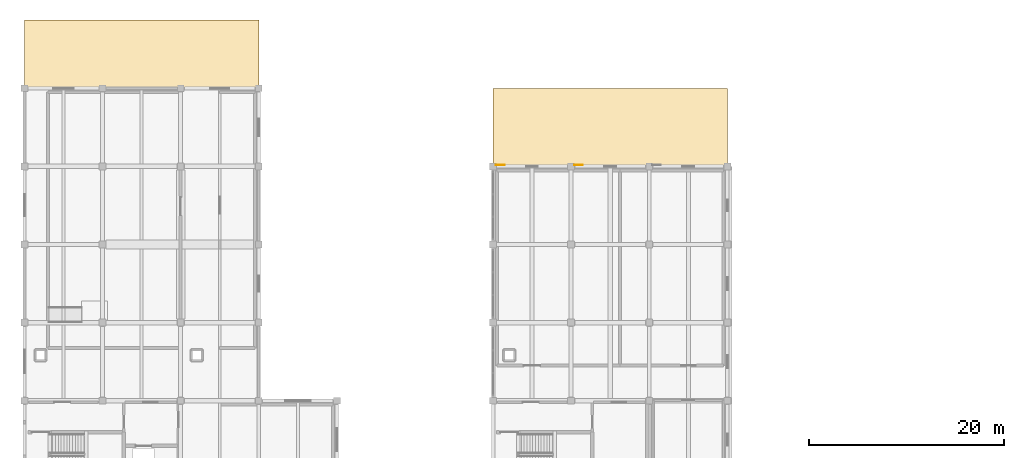
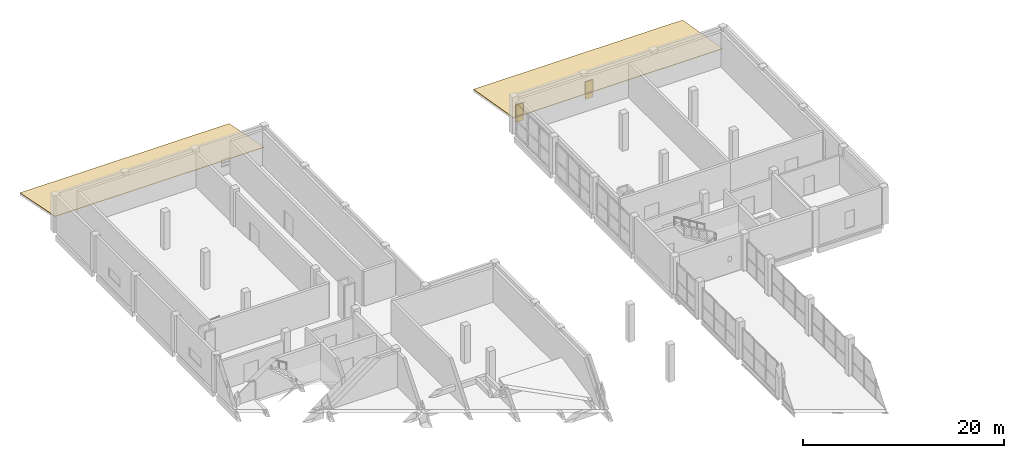
# One storey, part 43 of 45: 2 coverings, 2 shading devices.
"""IFC4 building model written with IfcOpenShell, lengths in metres."""

from ifc_helpers import new_model, si_unit, direction, frame, origin, origin_2d, place, context, subcontext, project, spatial, polyline, rectangle, outline, extrude, material, layer, layer_set, type_object, element, save


model = new_model("IFC4")

# Units and contexts
model_context = context("Model", 3, precision=1e-05, world=origin(), true_north=direction((0.0, 1.0)))
body_context = subcontext(model_context, "Body", "Model", "MODEL_VIEW")
ifc_project = project(units=[si_unit("LENGTHUNIT", "METRE"), si_unit("AREAUNIT", "SQUARE_METRE"), si_unit("VOLUMEUNIT", "CUBIC_METRE"), si_unit("PLANEANGLEUNIT", "RADIAN"), si_unit("MASSUNIT", "GRAM", prefix="KILO")], contexts=[model_context])

# Site, building, storey
site_placement = place(None, origin())
site = spatial("IfcSite", under=ifc_project, at=site_placement, CompositionType="ELEMENT")
building_placement = place(site_placement, origin())
building = spatial("IfcBuilding", under=site, at=building_placement, Name="Qorikala Patio Media Centre", CompositionType="ELEMENT")
storey_placement = place(building_placement, frame((0.0, 0.0, 9.89990234375)))
storey = spatial("IfcBuildingStorey", under=building, at=storey_placement, Name="L02", CompositionType="ELEMENT", Elevation=9.89990234375)

# Coverings
ifc_material_1 = material(Name="Spanish Terracotta Clay Tile", Category="masonry")
ifc_layer_1 = layer(ifc_material_1, 0.054931640625)
ifc_layer_set_1 = layer_set([ifc_layer_1], Name="Spanish Terracotta Clay Tile")
covering_type = type_object("IfcCoveringType", Name="COV-ROOF-TILE", PredefinedType="ROOFING", material=ifc_layer_set_1)
covering_1_placement = place(storey_placement, frame((3.0, 111.0, 0.320068359375), z_axis=(0.0, 0.19478706005, 0.980845554222), x_axis=(1.0, 0.0, 0.0)))
element("IfcCovering", 1, at=covering_1_placement, inside=storey, type_object=covering_type, Name="L02 Terracotta Clay-Tile Loggia Roof RF-LOG-V4-L2", PredefinedType="ROOFING", context=body_context, shape_type="SweptSolid", body=[
    extrude(outline(polyline([(0.0, 0.0), (24.0, 0.0), (24.0, -7.136699524066921), (0.0, -7.136699524066921), (0.0, 0.0)])), origin(), (0.0, 0.0, -1.0), 0.054931640625),
])
covering_2_placement = place(storey_placement, frame((51.0, 104.0, 0.320068359375), z_axis=(0.0, 0.171201595869, 0.985236019222), x_axis=(1.0, 0.0, 0.0)))
element("IfcCovering", 2, at=covering_2_placement, inside=storey, type_object=covering_type, Name="L02 Terracotta Clay-Tile Loggia Roof RF-LOG-V5-L2", PredefinedType="ROOFING", context=body_context, shape_type="SweptSolid", body=[
    extrude(outline(polyline([(0.0, 0.0), (24.0, 0.0), (24.0, -8.119881778500043), (0.0, -8.119881778500043), (0.0, 0.0)])), origin(), (0.0, 0.0, -1.0), 0.054931640625),
])

# Shading devices
ifc_material_2 = material(Name="Golden Bronze Anodised Aluminium", Category="aluminium")
ifc_layer_2 = layer(ifc_material_2, 0.06005859375)
ifc_layer_set_2 = layer_set([ifc_layer_2], Name="Golden Bronze Anodised Aluminium")
shading_device_type = type_object("IfcShadingDeviceType", Name="SHD-SHUTTER", PredefinedType="SHUTTER", material=ifc_layer_set_2)
for number, where, z_axis, x_axis, name in (
    (3, (51.75, 96.1650390625, 0.949951171875), (0.0, 0.0, 1.0), (1.0, 0.0, 0.0), "L02 Colonial Bronze Sun Shutter 013"),
    (4, (59.75, 96.1650390625, 0.949951171875), (0.0, 0.0, 1.0), (1.0, 0.0, 0.0), "L02 Colonial Bronze Sun Shutter 014"),
):
    element("IfcShadingDevice", number, at=place(storey_placement, frame(where, z_axis=z_axis, x_axis=x_axis)), inside=storey, type_object=shading_device_type, Name=name, PredefinedType="SHUTTER", context=body_context, shape_type="SweptSolid", body=[
        extrude(rectangle(XDim=0.89990234375, YDim=0.06005859375, at=origin_2d()), origin(), (0.0, 0.0, 1.0), 2.10009765625),
    ])

save(model, "model.ifc")
